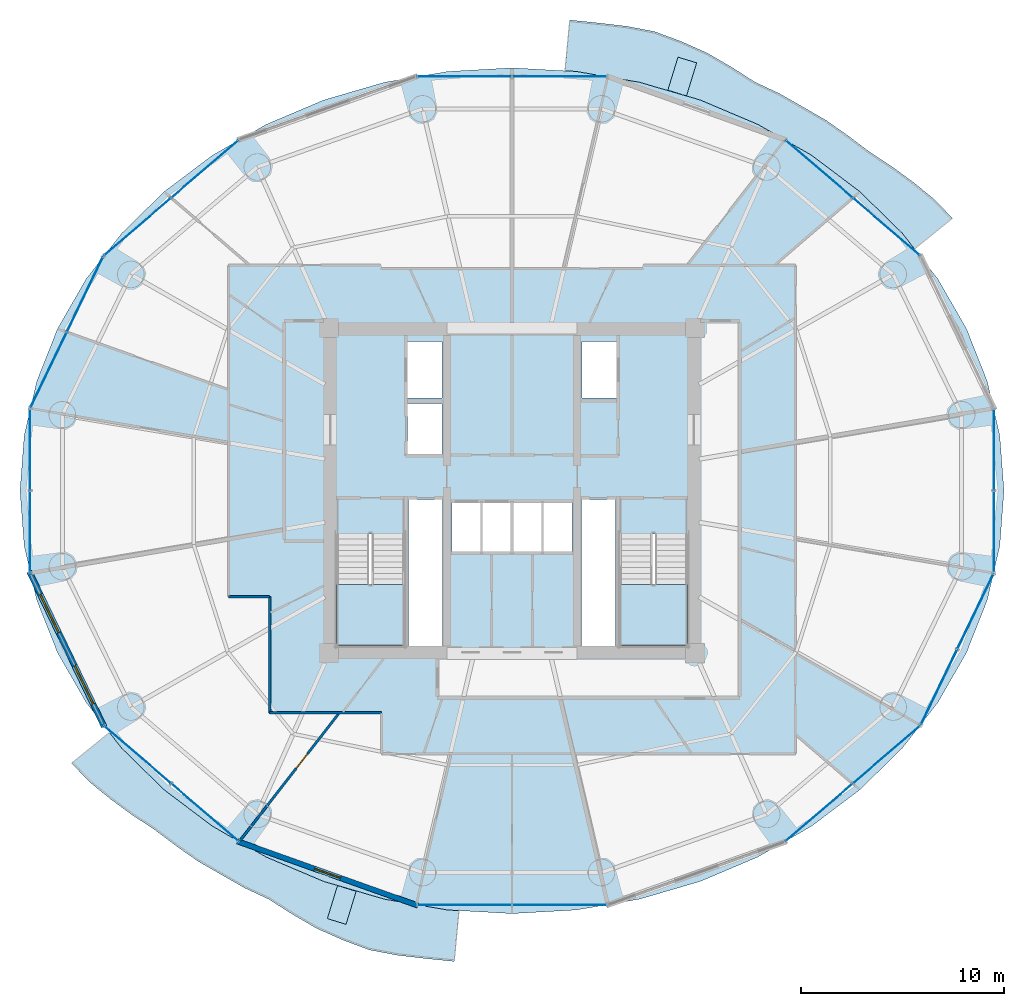
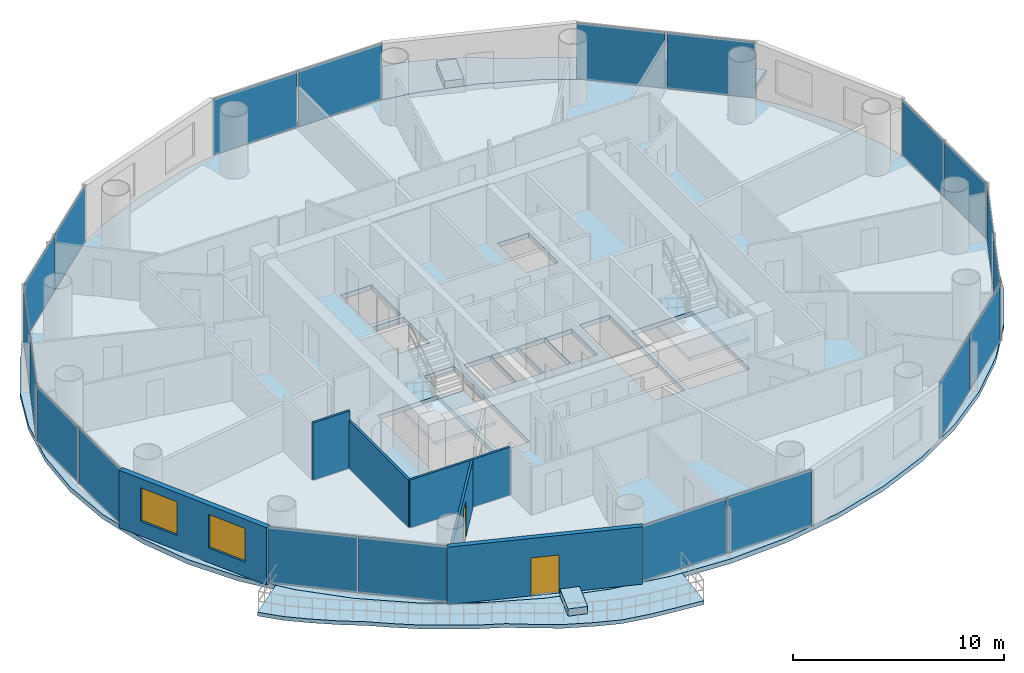
# One storey, part 19 of 26: 20 plates, 7 slabs, 6 walls, 2 doors, 2 windows, 4 openings, 12 elements without a shape of their own.
"""IFC4 building model written with IfcOpenShell, lengths in metres."""

from ifc_helpers import new_model, si_unit, direction, frame, frame_2d, origin, origin_2d, place, context, subcontext, project, spatial, polyline, rectangle, outline, extrude, source, transform, mapped, material, layer, layer_set, type_object, element, fill, aggregate, save


model = new_model("IFC4")

# Units and contexts
model_context = context("Model", 3, precision=1e-05, world=origin(), true_north=direction((-0.2419218956, 0.970295726276)))
body_context = subcontext(model_context, "Body", "Model", "MODEL_VIEW")
ifc_project = project(units=[si_unit("LENGTHUNIT", "METRE"), si_unit("AREAUNIT", "SQUARE_METRE"), si_unit("VOLUMEUNIT", "CUBIC_METRE"), si_unit("PLANEANGLEUNIT", "RADIAN"), si_unit("MASSUNIT", "GRAM", prefix="KILO")], contexts=[model_context])

# Site, building, storey
site_placement = place(None, origin())
site = spatial("IfcSite", under=ifc_project, at=site_placement, CompositionType="ELEMENT")
building_placement = place(site_placement, origin())
building = spatial("IfcBuilding", under=site, at=building_placement, Name="Cobrevalo Terracotta Tower", CompositionType="ELEMENT")
storey_placement = place(building_placement, frame((0.0, 0.0, 142.60009765625)))
storey = spatial("IfcBuildingStorey", under=building, at=storey_placement, Name="L37", CompositionType="ELEMENT", Elevation=142.60009765625)

# Stair, slab
ifc_material_1 = material(Name="Concrete C50", Category="concrete")
stair_type = type_object("IfcStairType", Name="Core protected escape dogleg stair 1600", PredefinedType="HALF_TURN_STAIR", material=ifc_material_1)
stair_1_placement = place(storey_placement, origin())
stair_1 = element("IfcStair", 1, at=stair_1_placement, inside=storey, type_object=stair_type, Name="L37 Protected exit stair ST-1", PredefinedType="HALF_TURN_STAIR")
ifc_layer_1 = layer(ifc_material_1, 0.199951171875)
ifc_layer_set_1 = layer_set([ifc_layer_1], Name="Concrete C50")
slab_type_1 = type_object("IfcSlabType", Name="Reinforced Concrete Stair Landing 200", PredefinedType="LANDING", material=ifc_layer_set_1)
slab_1_placement = place(storey_placement, frame((0.0, 0.0, 1.599853515625)))
slab_1 = element("IfcSlab", 2, at=slab_1_placement, type_object=slab_type_1, Name="ST-1 landing 1", PredefinedType="LANDING", context=body_context, shape_type="SweptSolid", body=[
    extrude(outline(polyline([(29.375, 22.179931640625), (29.375, 19.175048828125), (32.695068359375, 19.175048828125), (32.695068359375, 22.179931640625), (29.375, 22.179931640625)])), origin(), (0.0, 0.0, 1.0), 0.199951171875),
])
aggregate(stair_1, [slab_1])

stair_2_placement = place(storey_placement, origin())
stair_2 = element("IfcStair", 3, at=stair_2_placement, inside=storey, type_object=stair_type, Name="L37 Protected exit stair ST-2", PredefinedType="HALF_TURN_STAIR")
slab_2_placement = place(storey_placement, frame((0.0, 0.0, 1.599853515625)))
slab_2 = element("IfcSlab", 4, at=slab_2_placement, type_object=slab_type_1, Name="ST-2 landing 1", PredefinedType="LANDING", context=body_context, shape_type="SweptSolid", body=[
    extrude(outline(polyline([(43.304931640625, 22.179931640625), (43.304931640625, 19.175048828125), (46.625, 19.175048828125), (46.625, 22.179931640625), (43.304931640625, 22.179931640625)])), origin(), (0.0, 0.0, 1.0), 0.199951171875),
])
aggregate(stair_2, [slab_2])

# Slabs
ifc_material_2 = material(Name="Concrete C45", Category="concrete")
ifc_layer_2 = layer(ifc_material_2, 0.219970703125)
ifc_layer_set_2 = layer_set([ifc_layer_2], Name="Concrete C45")
slab_type_2 = type_object("IfcSlabType", Name="Spiralling cantilevered balcony lobe slab 220 mm", PredefinedType="FLOOR", material=ifc_layer_set_2)
slab_3_placement = place(storey_placement, frame((0.0, 0.0, -0.22021484375)))
element("IfcSlab", 5, at=slab_3_placement, inside=storey, type_object=slab_type_2, Name="L37 spiralling arc balcony slab lobe 1", PredefinedType="FLOOR", context=body_context, shape_type="SweptSolid", body=[
    extrude(outline(polyline([(59.6708984375, 40.197021484375), (58.769287109375, 41.134765625), (57.74462890625, 41.968994140625), (56.687744140625, 42.74462890625), (55.58740234375, 43.465087890625), (54.54150390625, 44.25390625), (53.46875, 45.009521484375), (52.31689453125, 45.673583984375), (51.1640625, 46.3330078125), (49.948486328125, 46.900146484375), (48.79296875, 47.639404296875), (47.59375, 48.33544921875), (46.318359375, 48.901123046875), (45.00732421875, 49.387939453125), (43.62939453125, 49.649658203125), (42.23486328125, 49.811767578125), (40.841796875, 49.9541015625), (40.60888671875, 47.455078125), (41.158935546875, 47.424072265625), (44.263916015625, 46.893310546875), (47.26171875, 46.0185546875), (50.10107421875, 44.81494140625), (52.733154296875, 43.30322265625), (55.11328125, 41.50927734375), (57.20068359375, 39.46337890625), (57.80712890625, 38.683349609375), (59.6708984375, 40.197021484375)])), origin(), (0.0, 0.0, 1.0), 0.22021484375),
])
slab_4_placement = place(storey_placement, frame((0.0, 0.0, -0.22021484375)))
element("IfcSlab", 6, at=slab_4_placement, inside=storey, type_object=slab_type_2, Name="L37 spiralling arc balcony slab lobe 2", PredefinedType="FLOOR", context=body_context, shape_type="SweptSolid", body=[
    extrude(outline(polyline([(16.3291015625, 13.403076171875), (17.230712890625, 12.46533203125), (18.25537109375, 11.631103515625), (19.312255859375, 10.85546875), (20.41259765625, 10.134765625), (21.45849609375, 9.34619140625), (22.53125, 8.590576171875), (23.68310546875, 7.926513671875), (24.8359375, 7.26708984375), (26.051513671875, 6.699951171875), (27.20703125, 5.960693359375), (28.40625, 5.264404296875), (29.681640625, 4.698974609375), (30.99267578125, 4.212158203125), (32.37060546875, 3.950439453125), (33.76513671875, 3.788330078125), (35.158203125, 3.64599609375), (35.39111328125, 6.14501953125), (34.841064453125, 6.176025390625), (31.736083984375, 6.706787109375), (28.73828125, 7.58154296875), (25.89892578125, 8.784912109375), (23.266845703125, 10.296630859375), (20.88671875, 12.0908203125), (18.79931640625, 14.136474609375), (18.19287109375, 14.91650390625), (16.3291015625, 13.403076171875)])), origin(), (0.0, 0.0, 1.0), 0.22021484375),
])
ifc_material_3 = material(Name="Precast concrete C45", Category="concrete")
ifc_layer_3 = layer(ifc_material_3, 0.419921875)
ifc_layer_set_3 = layer_set([ifc_layer_3], Name="Precast concrete C45")
slab_type_3 = type_object("IfcSlabType", Name="Structural tree planter trough base 420 mm", PredefinedType="USERDEFINED", material=ifc_layer_set_3)
slab_5_placement = place(storey_placement, origin())
element("IfcSlab", 7, at=slab_5_placement, inside=storey, type_object=slab_type_3, Name="L37 structural tree planter trough 1", ObjectType="PLANTER", PredefinedType="USERDEFINED", context=body_context, shape_type="SweptSolid", body=[
    extrude(outline(polyline([(46.583740234375, 46.220458984375), (47.08203125, 47.845947265625), (46.164306640625, 48.12744140625), (45.665771484375, 46.502197265625), (46.583740234375, 46.220458984375)])), origin(), (0.0, 0.0, 1.0), 0.419921875),
])
slab_6_placement = place(storey_placement, origin())
element("IfcSlab", 8, at=slab_6_placement, inside=storey, type_object=slab_type_3, Name="L37 structural tree planter trough 2", ObjectType="PLANTER", PredefinedType="USERDEFINED", context=body_context, shape_type="SweptSolid", body=[
    extrude(outline(polyline([(29.416259765625, 7.37939453125), (28.91796875, 5.754150390625), (29.835693359375, 5.47265625), (30.334228515625, 7.097900390625), (29.416259765625, 7.37939453125)])), origin(), (0.0, 0.0, 1.0), 0.419921875),
])
ifc_layer_4 = layer(ifc_material_1, 0.27001953125)
ifc_layer_set_4 = layer_set([ifc_layer_4], Name="Concrete C50")
slab_type_4 = type_object("IfcSlabType", Name="Zone Z3 elliptical floor plate 270 mm", PredefinedType="FLOOR", material=ifc_layer_set_4)
slab_7_placement = place(storey_placement, frame((0.0, 0.0, -0.27001953125)))
element("IfcSlab", 9, at=slab_7_placement, inside=storey, type_object=slab_type_4, Name="L37 indoor elliptical floor slab", PredefinedType="FLOOR", context=body_context, shape_type="SweptSolid", body=[
    extrude(outline(polyline([(61.992919921875, 24.0849609375), (61.37548828125, 21.41650390625), (60.35791015625, 18.840087890625), (58.957763671875, 16.39990234375), (57.19921875, 14.1376953125), (55.112060546875, 12.09228515625), (52.73193359375, 10.29833984375), (50.10009765625, 8.78662109375), (47.260986328125, 7.583251953125), (44.263427734375, 6.708740234375), (41.15869140625, 6.177978515625), (38.0, 6.0), (34.84130859375, 6.177978515625), (31.736572265625, 6.708740234375), (28.739013671875, 7.583251953125), (25.89990234375, 8.78662109375), (23.26806640625, 10.29833984375), (20.887939453125, 12.09228515625), (18.80078125, 14.1376953125), (17.042236328125, 16.39990234375), (15.64208984375, 18.840087890625), (14.62451171875, 21.41650390625), (14.007080078125, 24.0849609375), (13.800048828125, 26.800048828125), (14.007080078125, 29.514892578125), (14.62451171875, 32.183349609375), (15.64208984375, 34.759765625), (17.042236328125, 37.199951171875), (18.80078125, 39.462158203125), (20.887939453125, 41.5078125), (23.26806640625, 43.3017578125), (25.89990234375, 44.813232421875), (28.739013671875, 46.0166015625), (31.736572265625, 46.891357421875), (34.84130859375, 47.422119140625), (38.0, 47.60009765625), (41.15869140625, 47.422119140625), (44.263427734375, 46.891357421875), (47.260986328125, 46.0166015625), (50.10009765625, 44.813232421875), (52.73193359375, 43.3017578125), (55.112060546875, 41.5078125), (57.19921875, 39.462158203125), (58.957763671875, 37.199951171875), (60.35791015625, 34.759765625), (61.37548828125, 32.183349609375), (61.992919921875, 29.514892578125), (62.199951171875, 26.800048828125), (61.992919921875, 24.0849609375)]), holes=[polyline([(32.695068359375, 19.175048828125), (32.695068359375, 24.659912109375), (29.375, 24.659912109375), (29.375, 19.175048828125), (32.695068359375, 19.175048828125)]), polyline([(34.574951171875, 26.360107421875), (32.919921875, 26.360107421875), (32.919921875, 19.175048828125), (34.574951171875, 19.175048828125), (34.574951171875, 26.360107421875)]), polyline([(36.47998046875, 26.25), (35.050048828125, 26.25), (35.050048828125, 23.800048828125), (36.47998046875, 23.800048828125), (36.47998046875, 26.25)]), polyline([(37.9599609375, 23.800048828125), (37.9599609375, 26.25), (36.530029296875, 26.25), (36.530029296875, 23.800048828125), (37.9599609375, 23.800048828125)]), polyline([(34.550048828125, 28.60009765625), (34.550048828125, 31.10009765625), (32.85009765625, 31.10009765625), (32.85009765625, 28.60009765625), (34.550048828125, 28.60009765625)]), polyline([(34.550048828125, 34.14990234375), (32.85009765625, 34.14990234375), (32.85009765625, 31.35009765625), (34.550048828125, 31.35009765625), (34.550048828125, 34.14990234375)]), polyline([(43.304931640625, 19.175048828125), (46.625, 19.175048828125), (46.625, 24.659912109375), (43.304931640625, 24.659912109375), (43.304931640625, 19.175048828125)]), polyline([(43.080078125, 19.175048828125), (43.080078125, 26.360107421875), (41.425048828125, 26.360107421875), (41.425048828125, 19.175048828125), (43.080078125, 19.175048828125)]), polyline([(39.469970703125, 26.25), (38.0400390625, 26.25), (38.0400390625, 23.800048828125), (39.469970703125, 23.800048828125), (39.469970703125, 26.25)]), polyline([(40.949951171875, 23.800048828125), (40.949951171875, 26.25), (39.52001953125, 26.25), (39.52001953125, 23.800048828125), (40.949951171875, 23.800048828125)]), polyline([(43.14990234375, 31.35009765625), (43.14990234375, 34.14990234375), (41.449951171875, 34.14990234375), (41.449951171875, 31.35009765625), (43.14990234375, 31.35009765625)])]), origin(), (0.0, 0.0, 1.0), 0.27001953125),
])

# Curtain wall, plates
ifc_material_4 = material(Name="Anodized aluminium", Category="aluminium")
curtain_wall_type = type_object("IfcCurtainWallType", Name="Mid-tower high-wind unitised curtain wall CW-U2", PredefinedType="NOTDEFINED", material=ifc_material_4)
curtain_wall_1_placement = place(storey_placement, origin())
curtain_wall_1 = element("IfcCurtainWall", 10, at=curtain_wall_1_placement, inside=storey, type_object=curtain_wall_type, Name="L37 curtain wall CW-L37-S02", PredefinedType="NOTDEFINED")
ifc_material_5 = material(Name="Solar-control low-E double glazing", Category="glass")
ifc_layer_5 = layer(ifc_material_5, 0.028076171875)
ifc_layer_set_5 = layer_set([ifc_layer_5], Name="Solar-control low-E double glazing")
plate_type = type_object("IfcPlateType", Name="Tower solar-control low-E vision glass panel 28 mm", PredefinedType="CURTAIN_PANEL", material=ifc_layer_set_5)
shared_shape_1 = source(origin(), body_context, "Body", "SweptSolid", [
    extrude(rectangle(XDim=4.276123046875, YDim=0.035888671875, at=origin_2d()), origin(), (0.0, 0.0, 1.0), 3.25),
])
plate_1_placement = place(storey_placement, frame((56.414306640625, 39.784912109375, 0.039794921875), z_axis=(0.0, 0.0, 1.0), x_axis=(-0.758436996112, 0.651746363955, 0.0)))
plate_1 = element("IfcPlate", 11, at=plate_1_placement, type_object=plate_type, Name="CW-L37-S02 glazing panel B01", PredefinedType="CURTAIN_PANEL", context=body_context, shape_type="MappedRepresentation", body=[
    mapped(shared_shape_1, transform((0.0, 0.0, 0.0), scale=1.0)),
])
plate_2_placement = place(storey_placement, frame((53.1103515625, 42.6240234375, 0.039794921875), z_axis=(0.0, 0.0, 1.0), x_axis=(-0.758436996112, 0.651746363955, 0.0)))
plate_2 = element("IfcPlate", 12, at=plate_2_placement, type_object=plate_type, Name="CW-L37-S02 glazing panel B02", PredefinedType="CURTAIN_PANEL", context=body_context, shape_type="MappedRepresentation", body=[
    mapped(shared_shape_1, transform((0.0, 0.0, 0.0), scale=1.0)),
])
aggregate(curtain_wall_1, [plate_1, plate_2])

curtain_wall_2_placement = place(storey_placement, origin())
curtain_wall_2 = element("IfcCurtainWall", 13, at=curtain_wall_2_placement, inside=storey, type_object=curtain_wall_type, Name="L37 curtain wall CW-L37-S06", PredefinedType="NOTDEFINED")
plate_3_placement = place(storey_placement, frame((22.8896484375, 42.6240234375, 0.039794921875), z_axis=(0.0, 0.0, 1.0), x_axis=(-0.758436996112, -0.651746363955, 0.0)))
plate_3 = element("IfcPlate", 14, at=plate_3_placement, type_object=plate_type, Name="CW-L37-S06 glazing panel B01", PredefinedType="CURTAIN_PANEL", context=body_context, shape_type="MappedRepresentation", body=[
    mapped(shared_shape_1, transform((0.0, 0.0, 0.0), scale=1.0)),
])
plate_4_placement = place(storey_placement, frame((19.585693359375, 39.784912109375, 0.039794921875), z_axis=(0.0, 0.0, 1.0), x_axis=(-0.758436996112, -0.651746363955, 0.0)))
plate_4 = element("IfcPlate", 15, at=plate_4_placement, type_object=plate_type, Name="CW-L37-S06 glazing panel B02", PredefinedType="CURTAIN_PANEL", context=body_context, shape_type="MappedRepresentation", body=[
    mapped(shared_shape_1, transform((0.0, 0.0, 0.0), scale=1.0)),
])
aggregate(curtain_wall_2, [plate_3, plate_4])

curtain_wall_3_placement = place(storey_placement, origin())
curtain_wall_3 = element("IfcCurtainWall", 16, at=curtain_wall_3_placement, inside=storey, type_object=curtain_wall_type, Name="L37 curtain wall CW-L37-S10", PredefinedType="NOTDEFINED")
plate_5_placement = place(storey_placement, frame((19.585693359375, 13.815185546875, 0.039794921875), z_axis=(0.0, 0.0, 1.0), x_axis=(0.758436996112, -0.651746363955, 0.0)))
plate_5 = element("IfcPlate", 17, at=plate_5_placement, type_object=plate_type, Name="CW-L37-S10 glazing panel B01", PredefinedType="CURTAIN_PANEL", context=body_context, shape_type="MappedRepresentation", body=[
    mapped(shared_shape_1, transform((0.0, 0.0, 0.0), scale=1.0)),
])
plate_6_placement = place(storey_placement, frame((22.8896484375, 10.97607421875, 0.039794921875), z_axis=(0.0, 0.0, 1.0), x_axis=(0.758436996112, -0.651746363955, 0.0)))
plate_6 = element("IfcPlate", 18, at=plate_6_placement, type_object=plate_type, Name="CW-L37-S10 glazing panel B02", PredefinedType="CURTAIN_PANEL", context=body_context, shape_type="MappedRepresentation", body=[
    mapped(shared_shape_1, transform((0.0, 0.0, 0.0), scale=1.0)),
])
aggregate(curtain_wall_3, [plate_5, plate_6])

curtain_wall_4_placement = place(storey_placement, origin())
curtain_wall_4 = element("IfcCurtainWall", 19, at=curtain_wall_4_placement, inside=storey, type_object=curtain_wall_type, Name="L37 curtain wall CW-L37-S14", PredefinedType="NOTDEFINED")
plate_7_placement = place(storey_placement, frame((53.1103515625, 10.97607421875, 0.039794921875), z_axis=(0.0, 0.0, 1.0), x_axis=(0.758436996112, 0.651746363955, 0.0)))
plate_7 = element("IfcPlate", 20, at=plate_7_placement, type_object=plate_type, Name="CW-L37-S14 glazing panel B01", PredefinedType="CURTAIN_PANEL", context=body_context, shape_type="MappedRepresentation", body=[
    mapped(shared_shape_1, transform((0.0, 0.0, 0.0), scale=1.0)),
])
plate_8_placement = place(storey_placement, frame((56.414306640625, 13.815185546875, 0.039794921875), z_axis=(0.0, 0.0, 1.0), x_axis=(0.758436996112, 0.651746363955, 0.0)))
plate_8 = element("IfcPlate", 21, at=plate_8_placement, type_object=plate_type, Name="CW-L37-S14 glazing panel B02", PredefinedType="CURTAIN_PANEL", context=body_context, shape_type="MappedRepresentation", body=[
    mapped(shared_shape_1, transform((0.0, 0.0, 0.0), scale=1.0)),
])
aggregate(curtain_wall_4, [plate_7, plate_8])

curtain_wall_5_placement = place(storey_placement, origin())
curtain_wall_5 = element("IfcCurtainWall", 22, at=curtain_wall_5_placement, inside=storey, type_object=curtain_wall_type, Name="L37 curtain wall CW-L37-S04", PredefinedType="NOTDEFINED")
shared_shape_2 = source(origin(), body_context, "Body", "SweptSolid", [
    extrude(rectangle(XDim=4.59521484375, YDim=0.035888671875, at=origin_2d()), origin(), (0.0, 0.0, 1.0), 3.25),
])
plate_9_placement = place(storey_placement, frame((40.337646484375, 47.1708984375, 0.039794921875), z_axis=(0.0, 0.0, 1.0), x_axis=(-1.0, 0.0, 0.0)))
plate_9 = element("IfcPlate", 23, at=plate_9_placement, type_object=plate_type, Name="CW-L37-S04 glazing panel B01", PredefinedType="CURTAIN_PANEL", context=body_context, shape_type="MappedRepresentation", body=[
    mapped(shared_shape_2, transform((0.0, 0.0, 0.0), scale=1.0)),
])
plate_10_placement = place(storey_placement, frame((35.662353515625, 47.1708984375, 0.039794921875), z_axis=(0.0, 0.0, 1.0), x_axis=(-1.0, 0.0, 0.0)))
plate_10 = element("IfcPlate", 24, at=plate_10_placement, type_object=plate_type, Name="CW-L37-S04 glazing panel B02", PredefinedType="CURTAIN_PANEL", context=body_context, shape_type="MappedRepresentation", body=[
    mapped(shared_shape_2, transform((0.0, 0.0, 0.0), scale=1.0)),
])
aggregate(curtain_wall_5, [plate_9, plate_10])

curtain_wall_6_placement = place(storey_placement, origin())
curtain_wall_6 = element("IfcCurtainWall", 25, at=curtain_wall_6_placement, inside=storey, type_object=curtain_wall_type, Name="L37 curtain wall CW-L37-S12", PredefinedType="NOTDEFINED")
plate_11_placement = place(storey_placement, frame((35.662353515625, 6.42919921875, 0.039794921875), z_axis=(0.0, 0.0, 1.0), x_axis=(1.0, 0.0, 0.0)))
plate_11 = element("IfcPlate", 26, at=plate_11_placement, type_object=plate_type, Name="CW-L37-S12 glazing panel B01", PredefinedType="CURTAIN_PANEL", context=body_context, shape_type="MappedRepresentation", body=[
    mapped(shared_shape_2, transform((0.0, 0.0, 0.0), scale=1.0)),
])
plate_12_placement = place(storey_placement, frame((40.337646484375, 6.42919921875, 0.039794921875), z_axis=(0.0, 0.0, 1.0), x_axis=(1.0, 0.0, 0.0)))
plate_12 = element("IfcPlate", 27, at=plate_12_placement, type_object=plate_type, Name="CW-L37-S12 glazing panel B02", PredefinedType="CURTAIN_PANEL", context=body_context, shape_type="MappedRepresentation", body=[
    mapped(shared_shape_2, transform((0.0, 0.0, 0.0), scale=1.0)),
])
aggregate(curtain_wall_6, [plate_11, plate_12])

curtain_wall_7_placement = place(storey_placement, origin())
curtain_wall_7 = element("IfcCurtainWall", 28, at=curtain_wall_7_placement, inside=storey, type_object=curtain_wall_type, Name="L37 curtain wall CW-L37-S07", PredefinedType="NOTDEFINED")
shared_shape_3 = source(origin(), body_context, "Body", "SweptSolid", [
    extrude(rectangle(XDim=4.035888671875, YDim=0.035888671875, at=origin_2d()), origin(), (0.0, 0.0, 1.0), 3.25),
])
plate_13_placement = place(storey_placement, frame((16.992431640625, 36.449462890625, 0.039794921875), z_axis=(0.0, 0.0, 1.0), x_axis=(-0.434209440271, -0.900811945957, 0.0)))
plate_13 = element("IfcPlate", 29, at=plate_13_placement, type_object=plate_type, Name="CW-L37-S07 glazing panel B01", PredefinedType="CURTAIN_PANEL", context=body_context, shape_type="MappedRepresentation", body=[
    mapped(shared_shape_3, transform((0.0, 0.0, 0.0), scale=1.0)),
])
plate_14_placement = place(storey_placement, frame((15.205322265625, 32.741943359375, 0.039794921875), z_axis=(0.0, 0.0, 1.0), x_axis=(-0.434209440271, -0.900811945957, 0.0)))
plate_14 = element("IfcPlate", 30, at=plate_14_placement, type_object=plate_type, Name="CW-L37-S07 glazing panel B02", PredefinedType="CURTAIN_PANEL", context=body_context, shape_type="MappedRepresentation", body=[
    mapped(shared_shape_3, transform((0.0, 0.0, 0.0), scale=1.0)),
])
aggregate(curtain_wall_7, [plate_13, plate_14])

curtain_wall_8_placement = place(storey_placement, origin())
curtain_wall_8 = element("IfcCurtainWall", 31, at=curtain_wall_8_placement, inside=storey, type_object=curtain_wall_type, Name="L37 curtain wall CW-L37-S15", PredefinedType="NOTDEFINED")
plate_15_placement = place(storey_placement, frame((59.007568359375, 17.150634765625, 0.039794921875), z_axis=(0.0, 0.0, 1.0), x_axis=(0.434209440271, 0.900811945957, 0.0)))
plate_15 = element("IfcPlate", 32, at=plate_15_placement, type_object=plate_type, Name="CW-L37-S15 glazing panel B01", PredefinedType="CURTAIN_PANEL", context=body_context, shape_type="MappedRepresentation", body=[
    mapped(shared_shape_3, transform((0.0, 0.0, 0.0), scale=1.0)),
])
plate_16_placement = place(storey_placement, frame((60.794677734375, 20.858154296875, 0.039794921875), z_axis=(0.0, 0.0, 1.0), x_axis=(0.434209440271, 0.900811945957, 0.0)))
plate_16 = element("IfcPlate", 33, at=plate_16_placement, type_object=plate_type, Name="CW-L37-S15 glazing panel B02", PredefinedType="CURTAIN_PANEL", context=body_context, shape_type="MappedRepresentation", body=[
    mapped(shared_shape_3, transform((0.0, 0.0, 0.0), scale=1.0)),
])
aggregate(curtain_wall_8, [plate_15, plate_16])

curtain_wall_9_placement = place(storey_placement, origin())
curtain_wall_9 = element("IfcCurtainWall", 34, at=curtain_wall_9_placement, inside=storey, type_object=curtain_wall_type, Name="L37 curtain wall CW-L37-S08", PredefinedType="NOTDEFINED")
shared_shape_4 = source(origin(), body_context, "Body", "SweptSolid", [
    extrude(rectangle(XDim=3.931884765625, YDim=0.035888671875, at=origin_2d()), origin(), (0.0, 0.0, 1.0), 3.25),
])
plate_17_placement = place(storey_placement, frame((14.29443359375, 28.805908203125, 0.039794921875), z_axis=(0.0, 0.0, 1.0), x_axis=(0.0, -1.0, 0.0)))
plate_17 = element("IfcPlate", 35, at=plate_17_placement, type_object=plate_type, Name="CW-L37-S08 glazing panel B01", PredefinedType="CURTAIN_PANEL", context=body_context, shape_type="MappedRepresentation", body=[
    mapped(shared_shape_4, transform((0.0, 0.0, 0.0), scale=1.0)),
])
plate_18_placement = place(storey_placement, frame((14.29443359375, 24.7939453125, 0.039794921875), z_axis=(0.0, 0.0, 1.0), x_axis=(0.0, -1.0, 0.0)))
plate_18 = element("IfcPlate", 36, at=plate_18_placement, type_object=plate_type, Name="CW-L37-S08 glazing panel B02", PredefinedType="CURTAIN_PANEL", context=body_context, shape_type="MappedRepresentation", body=[
    mapped(shared_shape_4, transform((0.0, 0.0, 0.0), scale=1.0)),
])
aggregate(curtain_wall_9, [plate_17, plate_18])

curtain_wall_10_placement = place(storey_placement, origin())
curtain_wall_10 = element("IfcCurtainWall", 37, at=curtain_wall_10_placement, inside=storey, type_object=curtain_wall_type, Name="L37 curtain wall CW-L37-S16", PredefinedType="NOTDEFINED")
plate_19_placement = place(storey_placement, frame((61.70556640625, 24.7939453125, 0.039794921875), z_axis=(0.0, 0.0, 1.0), x_axis=(0.0, 1.0, 0.0)))
plate_19 = element("IfcPlate", 38, at=plate_19_placement, type_object=plate_type, Name="CW-L37-S16 glazing panel B01", PredefinedType="CURTAIN_PANEL", context=body_context, shape_type="MappedRepresentation", body=[
    mapped(shared_shape_4, transform((0.0, 0.0, 0.0), scale=1.0)),
])
plate_20_placement = place(storey_placement, frame((61.70556640625, 28.805908203125, 0.039794921875), z_axis=(0.0, 0.0, 1.0), x_axis=(0.0, 1.0, 0.0)))
plate_20 = element("IfcPlate", 39, at=plate_20_placement, type_object=plate_type, Name="CW-L37-S16 glazing panel B02", PredefinedType="CURTAIN_PANEL", context=body_context, shape_type="MappedRepresentation", body=[
    mapped(shared_shape_4, transform((0.0, 0.0, 0.0), scale=1.0)),
])
aggregate(curtain_wall_10, [plate_19, plate_20])

# Wall, openings, windows
ifc_material_6 = material(Name="Autoclaved aerated concrete block", Category="concrete")
ifc_layer_6 = layer(ifc_material_6, 0.280029296875)
ifc_layer_set_6 = layer_set([ifc_layer_6], Name="Autoclaved aerated concrete block")
wall_type_1 = type_object("IfcWallType", Name="Insulated tower spandrel & pier wall 280 mm with terracotta rainscreen", PredefinedType="SOLIDWALL", material=ifc_layer_set_6)
wall_1_placement = place(storey_placement, frame((14.259765625, 22.820068359375, 0.0), z_axis=(0.0, 0.0, 1.0), x_axis=(0.434209827226, -0.900811759437, 0.0)))
wall_1 = element("IfcWall", 40, at=wall_1_placement, inside=storey, type_object=wall_type_1, Name="L37 terracotta rainscreen pier wall S09", PredefinedType="SOLIDWALL", context=body_context, shape_type="SweptSolid", body=[
    extrude(rectangle(XDim=8.4716796875, YDim=0.280029296875, at=frame_2d((4.23583984375, 0.0))), origin(), (0.0, 0.0, 1.0), 3.329833984375),
])
opening_1_placement = place(wall_1_placement, frame((1.2373046875, 0.0, 0.85009765625)))
opening_1 = element("IfcOpeningElement", 41, at=opening_1_placement, cuts=wall_1, Name="Opening WN-10", PredefinedType="OPENING", context=body_context, shape_type="SweptSolid", body=[
    extrude(rectangle(XDim=2.10009765625, YDim=1.949951171875, at=frame_2d((1.050048828125, 0.97509765625))), frame((0.0, 0.14990234375, 0.0), z_axis=(0.0, -1.0, 0.0), x_axis=(1.0, 0.0, 0.0)), (0.0, 0.0, 1.0), 0.300048828125),
])
opening_2_placement = place(wall_1_placement, frame((5.13427734375, 0.0, 0.85009765625)))
opening_2 = element("IfcOpeningElement", 42, at=opening_2_placement, cuts=wall_1, Name="Opening WN-10", PredefinedType="OPENING", context=body_context, shape_type="SweptSolid", body=[
    extrude(rectangle(XDim=2.10009765625, YDim=1.949951171875, at=frame_2d((1.050048828125, 0.97509765625))), frame((0.0, 0.14990234375, 0.0), z_axis=(0.0, -1.0, 0.0), x_axis=(1.0, 0.0, 0.0)), (0.0, 0.0, 1.0), 0.300048828125),
])
window_type = type_object("IfcWindowType", Name="Wide panoramic low-E aluminium window 2100x1950", PartitioningType="SINGLE_PANEL", PredefinedType="WINDOW", material=ifc_material_5)
shared_shape_5 = source(origin(), body_context, "Body", "SweptSolid", [
    extrude(rectangle(XDim=2.10009765625, YDim=1.949951171875, at=frame_2d((1.050048828125, 0.97509765625))), frame((0.0, 0.030029296875, 0.0), z_axis=(0.0, -1.0, 0.0), x_axis=(1.0, 0.0, 0.0)), (0.0, 0.0, 1.0), 0.06005859375),
])
window_1_placement = place(opening_1_placement, origin())
window_1 = element("IfcWindow", 43, at=window_1_placement, inside=storey, type_object=window_type, Name="L37 suite window S09A", OverallHeight=1.949951171875, OverallWidth=2.10009765625, PartitioningType="SINGLE_PANEL", PredefinedType="WINDOW", context=body_context, shape_type="MappedRepresentation", body=[
    mapped(shared_shape_5, transform((0.0, 0.0, 0.0), scale=1.0)),
])
fill(opening_1, window_1)
window_2_placement = place(opening_2_placement, origin())
window_2 = element("IfcWindow", 44, at=window_2_placement, inside=storey, type_object=window_type, Name="L37 suite window S09B", OverallHeight=1.949951171875, OverallWidth=2.10009765625, PartitioningType="SINGLE_PANEL", PredefinedType="WINDOW", context=body_context, shape_type="MappedRepresentation", body=[
    mapped(shared_shape_5, transform((0.0, 0.0, 0.0), scale=1.0)),
])
fill(opening_2, window_2)

# Wall, opening, door
ifc_layer_7 = layer(ifc_material_6, 0.260009765625)
ifc_layer_set_7 = layer_set([ifc_layer_7], Name="Autoclaved aerated concrete block")
wall_type_2 = type_object("IfcWallType", Name="Recessed balcony loggia insulated exterior wall 260 mm", PredefinedType="SOLIDWALL", material=ifc_layer_set_7)
wall_2_placement = place(storey_placement, frame((24.49658203125, 9.55712890625, 0.0), z_axis=(0.0, 0.0, 1.0), x_axis=(0.942103604331, -0.335321932934, 0.0)))
wall_2 = element("IfcWall", 45, at=wall_2_placement, inside=storey, type_object=wall_type_2, Name="L37 balcony loggia wall S11", PredefinedType="SOLIDWALL", context=body_context, shape_type="SweptSolid", body=[
    extrude(rectangle(XDim=9.408203125, YDim=0.260009765625, at=frame_2d((4.7041015625, 0.0))), origin(), (0.0, 0.0, 1.0), 3.329833984375),
])
opening_3_placement = place(wall_2_placement, frame((4.029052734375, 0.0, 0.0)))
opening_3 = element("IfcOpeningElement", 46, at=opening_3_placement, cuts=wall_2, Name="Opening ED-05", PredefinedType="OPENING", context=body_context, shape_type="SweptSolid", body=[
    extrude(rectangle(XDim=1.35009765625, YDim=2.199951171875, at=frame_2d((0.675048828125, 1.10009765625))), frame((0.0, 0.14013671875, 0.0), z_axis=(0.0, -1.0, 0.0), x_axis=(1.0, 0.0, 0.0)), (0.0, 0.0, 1.0), 0.280029296875),
])
ifc_material_7 = material(Name="Anodized aluminium and laminated glass", Category="aluminium")
door_type_1 = type_object("IfcDoorType", Name="Suite balcony acoustic glazed terrace door 1350x2200", OperationType="NOTDEFINED", PredefinedType="DOOR", material=ifc_material_7)
shared_shape_6 = source(origin(), body_context, "Body", "SweptSolid", [
    extrude(rectangle(XDim=1.35009765625, YDim=2.199951171875, at=frame_2d((0.675048828125, 1.10009765625))), frame((0.0, 0.02490234375, 0.0), z_axis=(0.0, -1.0, 0.0), x_axis=(1.0, 0.0, 0.0)), (0.0, 0.0, 1.0), 0.050048828125),
])
door_1_placement = place(opening_3_placement, frame((1.35009765625, 0.0, 0.0), z_axis=(0.0, 0.0, 1.0), x_axis=(-1.0, 0.0, 0.0)))
door_1 = element("IfcDoor", 47, at=door_1_placement, inside=storey, type_object=door_type_1, Name="L37 glazed balcony terrace door 2", OperationType="SINGLE_SWING_RIGHT", OverallHeight=2.199951171875, OverallWidth=1.35009765625, PredefinedType="DOOR", context=body_context, shape_type="MappedRepresentation", body=[
    mapped(shared_shape_6, transform((0.0, 0.0, 0.0), scale=1.0)),
])
fill(opening_3, door_1)

# Walls
ifc_material_8 = material(Name="Gypsum board on steel stud", Category="steel")
ifc_layer_8 = layer(ifc_material_8, 0.1201171875)
ifc_layer_set_8 = layer_set([ifc_layer_8], Name="Gypsum board on steel stud")
wall_type_3 = type_object("IfcWallType", Name="Residential internal acoustic stud partition 120 mm", PredefinedType="PARTITIONING", material=ifc_layer_set_8)
wall_3_placement = place(storey_placement, frame((31.590087890625, 15.875, 0.0), z_axis=(0.0, 0.0, 1.0), x_axis=(-1.0, 0.0, 0.0)))
element("IfcWall", 48, at=wall_3_placement, inside=storey, type_object=wall_type_3, Name="L37 interior partition IW-L37-U3-RING2_0", PredefinedType="PARTITIONING", context=body_context, shape_type="SweptSolid", body=[
    extrude(rectangle(XDim=5.51513671875, YDim=0.1201171875, at=frame_2d((2.757568359375, 0.0))), origin(), (0.0, 0.0, 1.0), 2.77587890625),
])
wall_4_placement = place(storey_placement, frame((26.074951171875, 15.875, 0.0), z_axis=(0.0, 0.0, 1.0), x_axis=(0.0, 1.0, 0.0)))
element("IfcWall", 49, at=wall_4_placement, inside=storey, type_object=wall_type_3, Name="L37 interior partition IW-L37-U3-RING3_0", PredefinedType="PARTITIONING", context=body_context, shape_type="SweptSolid", body=[
    extrude(rectangle(XDim=5.715087890625, YDim=0.1201171875, at=frame_2d((2.857421875, 0.0))), origin(), (0.0, 0.0, 1.0), 2.77587890625),
])
wall_5_placement = place(storey_placement, frame((26.074951171875, 21.590087890625, 0.0), z_axis=(0.0, 0.0, 1.0), x_axis=(-1.0, 0.0, 0.0)))
element("IfcWall", 50, at=wall_5_placement, inside=storey, type_object=wall_type_3, Name="L37 interior partition IW-L37-U3-RING4_0", PredefinedType="PARTITIONING", context=body_context, shape_type="SweptSolid", body=[
    extrude(rectangle(XDim=2.010009765625, YDim=0.1201171875, at=frame_2d((1.0048828125, 0.0))), origin(), (0.0, 0.0, 1.0), 3.329833984375),
])

# Wall, opening, door
wall_6_placement = place(storey_placement, frame((29.46875, 15.826171875, 0.0), z_axis=(0.0, 0.0, 1.0), x_axis=(-0.61373942367, -0.789508657225, 0.0)))
wall_6 = element("IfcWall", 51, at=wall_6_placement, inside=storey, type_object=wall_type_3, Name="L37 interior partition IW-L37-U3-ORAD1", PredefinedType="PARTITIONING", context=body_context, shape_type="SweptSolid", body=[
    extrude(rectangle(XDim=7.897705078125, YDim=0.1201171875, at=frame_2d((3.94873046875, 0.0))), origin(), (0.0, 0.0, 1.0), 2.77587890625),
])
opening_4_placement = place(wall_6_placement, frame((2.49609375, 0.0, 0.0)))
opening_4 = element("IfcOpeningElement", 52, at=opening_4_placement, cuts=wall_6, Name="Opening ID-12", PredefinedType="OPENING", context=body_context, shape_type="SweptSolid", body=[
    extrude(rectangle(XDim=0.89990234375, YDim=2.14990234375, at=frame_2d((0.449951171875, 1.074951171875))), frame((0.0, 0.070068359375, 0.0), z_axis=(0.0, -1.0, 0.0), x_axis=(1.0, 0.0, 0.0)), (0.0, 0.0, 1.0), 0.14013671875),
])
ifc_material_9 = material(Name="Engineered timber", Category="wood")
door_type_2 = type_object("IfcDoorType", Name="Internal residence & suite timber door 900x2150", OperationType="NOTDEFINED", PredefinedType="DOOR", material=ifc_material_9)
shared_shape_7 = source(origin(), body_context, "Body", "SweptSolid", [
    extrude(rectangle(XDim=0.89990234375, YDim=2.14990234375, at=frame_2d((0.449951171875, 1.074951171875))), frame((0.0, 0.02490234375, 0.0), z_axis=(0.0, -1.0, 0.0), x_axis=(1.0, 0.0, 0.0)), (0.0, 0.0, 1.0), 0.050048828125),
])
door_2_placement = place(opening_4_placement, frame((0.89990234375, 0.0, 0.0), z_axis=(0.0, 0.0, 1.0), x_axis=(-1.0, 0.0, 0.0)))
door_2 = element("IfcDoor", 53, at=door_2_placement, inside=storey, type_object=door_type_2, Name="Flat L37C Penthouse Living and Dining Room internal door", OperationType="SINGLE_SWING_LEFT", OverallHeight=2.14990234375, OverallWidth=0.89990234375, PredefinedType="DOOR", context=body_context, shape_type="MappedRepresentation", body=[
    mapped(shared_shape_7, transform((0.0, 0.0, 0.0), scale=1.0)),
])
fill(opening_4, door_2)

save(model, "model.ifc")
